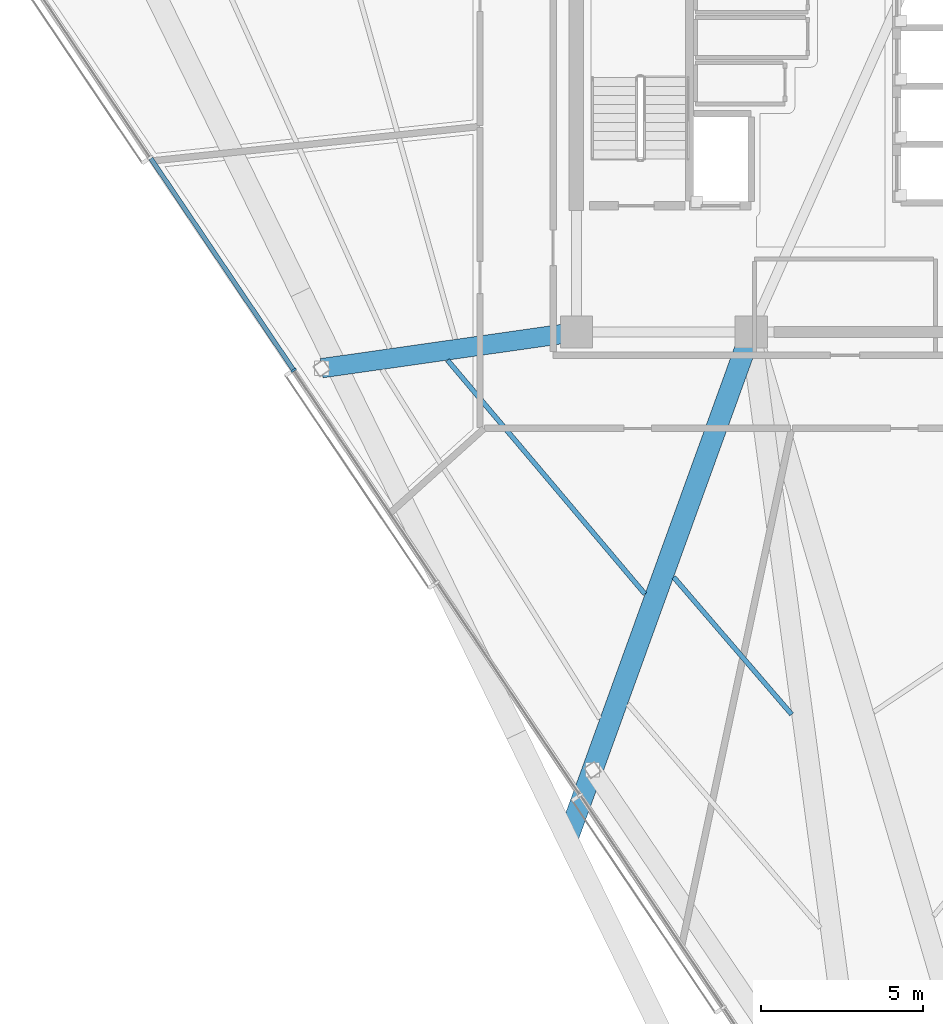
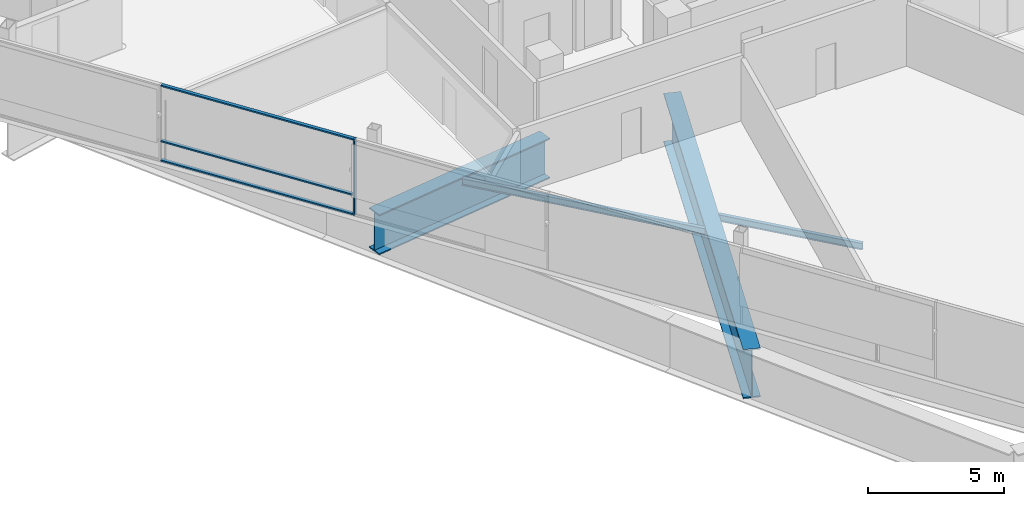
# One storey, part 3 of 17: 4 beams, 4 members, 1 element without a shape of its own.
"""IFC4 building model written with IfcOpenShell, lengths in metres."""

from ifc_helpers import new_model, si_unit, direction, frame, origin, origin_2d, place, context, subcontext, project, spatial, rectangle, i_section, extrude, material, layer, layer_set, material_profile, profile_set, type_object, element, aggregate, save


model = new_model("IFC4")

# Units and contexts
model_context = context("Model", 3, precision=1e-05, world=origin(), true_north=direction((0.0, 1.0)))
body_context = subcontext(model_context, "Body", "Model", "MODEL_VIEW")
ifc_project = project(units=[si_unit("LENGTHUNIT", "METRE"), si_unit("AREAUNIT", "SQUARE_METRE"), si_unit("VOLUMEUNIT", "CUBIC_METRE"), si_unit("PLANEANGLEUNIT", "RADIAN"), si_unit("MASSUNIT", "GRAM", prefix="KILO")], contexts=[model_context])

# Site, building, storey
site_placement = place(None, origin())
site = spatial("IfcSite", under=ifc_project, at=site_placement, CompositionType="ELEMENT")
building_placement = place(site_placement, origin())
building = spatial("IfcBuilding", under=site, at=building_placement, Name="Tharavind Bronze Gate", CompositionType="ELEMENT")
storey_placement = place(building_placement, frame((0.0, 0.0, 253.39990234375)))
storey = spatial("IfcBuildingStorey", under=building, at=storey_placement, Name="L65", CompositionType="ELEMENT", Elevation=253.39990234375)

# Curtain wall, members
ifc_material_1 = material(Name="Anodised Bronze Aluminium", Category="aluminium")
ifc_layer = layer(ifc_material_1, 0.219970703125)
ifc_layer_set = layer_set([ifc_layer], Name="Anodised Bronze Aluminium")
curtain_wall_type = type_object("IfcCurtainWallType", Name="UNITISED CURTAIN WALL UPPER OFFICE", PredefinedType="USERDEFINED", material=ifc_layer_set)
curtain_wall_placement = place(storey_placement, origin())
curtain_wall = element("IfcCurtainWall", 1, at=curtain_wall_placement, inside=storey, type_object=curtain_wall_type, Name="L65 unitised curtain wall upper office CW-L65-S1", ObjectType="UNITISED CURTAIN WALL", PredefinedType="USERDEFINED")
member_type_1 = type_object("IfcMemberType", Name="CURTAIN WALL BRONZE MULLION 65X180", PredefinedType="MULLION", material=ifc_material_1)
member_1_placement = place(storey_placement, frame((-17.639892578125, -8.7802734375, 0.000244140625), z_axis=(0.0, 0.0, 1.0), x_axis=(0.559191456526, -0.82903854853, 0.0)))
member_1 = element("IfcMember", 2, at=member_1_placement, type_object=member_type_1, Name="CW-L65-S1 mullion 3", PredefinedType="MULLION", context=body_context, shape_type="SweptSolid", body=[
    extrude(rectangle(XDim=0.06494140625, YDim=0.179931640625, at=origin_2d()), origin(), (0.0, 0.0, 1.0), 3.419921875),
])
member_type_2 = type_object("IfcMemberType", Name="CURTAIN WALL BRONZE TRANSOM 65X140", PredefinedType="USERDEFINED", material=ifc_material_1)
member_2_placement = place(storey_placement, frame((-19.8544921875, -5.497314453125, 0.000244140625), z_axis=(0.0, 0.0, 1.0), x_axis=(0.559191456526, -0.82903854853, 0.0)))
member_2 = element("IfcMember", 3, at=member_2_placement, type_object=member_type_2, Name="CW-L65-S1 transom TB2", ObjectType="TRANSOM", PredefinedType="USERDEFINED", context=body_context, shape_type="SweptSolid", body=[
    extrude(rectangle(XDim=7.8671875, YDim=0.139892578125, at=origin_2d()), origin(), (0.0, 0.0, 1.0), 0.06494140625),
])
member_3_placement = place(storey_placement, frame((-19.8544921875, -5.497314453125, 0.86767578125), z_axis=(0.0, 0.0, 1.0), x_axis=(0.559191456526, -0.82903854853, 0.0)))
member_3 = element("IfcMember", 4, at=member_3_placement, type_object=member_type_2, Name="CW-L65-S1 transom TS2", ObjectType="TRANSOM", PredefinedType="USERDEFINED", context=body_context, shape_type="SweptSolid", body=[
    extrude(rectangle(XDim=7.8671875, YDim=0.139892578125, at=origin_2d()), origin(), (0.0, 0.0, 1.0), 0.06494140625),
])
member_4_placement = place(storey_placement, frame((-19.8544921875, -5.497314453125, 3.355224609375), z_axis=(0.0, 0.0, 1.0), x_axis=(0.559191456526, -0.82903854853, 0.0)))
member_4 = element("IfcMember", 5, at=member_4_placement, type_object=member_type_2, Name="CW-L65-S1 transom TT2", ObjectType="TRANSOM", PredefinedType="USERDEFINED", context=body_context, shape_type="SweptSolid", body=[
    extrude(rectangle(XDim=7.8671875, YDim=0.139892578125, at=origin_2d()), origin(), (0.0, 0.0, 1.0), 0.06494140625),
])
aggregate(curtain_wall, [member_1, member_2, member_3, member_4])

# Beams
ifc_material_2 = material(Name="Steel S355", Category="steel")
ifc_material_profile_1 = material_profile(ifc_material_2, i_section(OverallWidth=0.14990234375, OverallDepth=0.300048828125, WebThickness=0.007080078125, FlangeThickness=0.0107421875, at=origin_2d()), Name="IPE300")
ifc_profile_set_1 = profile_set([ifc_material_profile_1], Name="Steel S355")
beam_type_1 = type_object("IfcBeamType", Name="SECONDARY FLOOR JOIST IPE300", PredefinedType="JOIST", material=ifc_profile_set_1)
beam_1_placement = place(storey_placement, frame((-12.8828125, -8.47265625, -0.33984375), z_axis=(0.645100433876, -0.764097788384, 0.0), x_axis=(0.764097788384, 0.645100433876, 0.0)))
element("IfcBeam", 6, at=beam_1_placement, inside=storey, type_object=beam_type_1, Name="L65 secondary floor joist ipe300 BM-L65-JSTA02", PredefinedType="JOIST", context=body_context, shape_type="SweptSolid", body=[
    extrude(i_section(OverallWidth=0.14990234375, OverallDepth=0.300048828125, WebThickness=0.007080078125, FlangeThickness=0.0107421875, at=origin_2d()), origin(), (0.0, 0.0, 1.0), 9.4560546875),
])
beam_2_placement = place(storey_placement, frame((-5.89501953125, -15.176025390625, -0.33984375), z_axis=(0.651800871828, -0.758390152549, 0.0), x_axis=(0.758390152549, 0.651800871828, 0.0)))
element("IfcBeam", 7, at=beam_2_placement, inside=storey, type_object=beam_type_1, Name="L65 secondary floor joist ipe300 BM-L65-JSTA03", PredefinedType="JOIST", context=body_context, shape_type="SweptSolid", body=[
    extrude(i_section(OverallWidth=0.14990234375, OverallDepth=0.300048828125, WebThickness=0.007080078125, FlangeThickness=0.0107421875, at=origin_2d()), origin(), (0.0, 0.0, 1.0), 5.59326171875),
])
ifc_material_3 = material(Name="Steel S460", Category="steel")
ifc_material_profile_2 = material_profile(ifc_material_3, i_section(OverallWidth=0.60009765625, OverallDepth=1.800048828125, WebThickness=0.031982421875, FlangeThickness=0.054931640625, at=origin_2d()), Name="PG1800X600")
ifc_profile_set_2 = profile_set([ifc_material_profile_2], Name="Steel S460")
beam_type_2 = type_object("IfcBeamType", Name="TRANSFER GIRDER 1800X600", PredefinedType="USERDEFINED", material=ifc_profile_set_2)
beam_3_placement = place(storey_placement, frame((-8.89990234375, -7.60009765625, -1.08984375), z_axis=(-0.99004257138, -0.14076827361, 0.0), x_axis=(0.14076827361, -0.99004257138, 0.0)))
element("IfcBeam", 8, at=beam_3_placement, inside=storey, type_object=beam_type_2, Name="L65 transfer girder 1800x600 BM-L65-XFR02", ObjectType="TRANSFER GIRDER", PredefinedType="USERDEFINED", context=body_context, shape_type="SweptSolid", body=[
    extrude(i_section(OverallWidth=0.60009765625, OverallDepth=1.800048828125, WebThickness=0.031982421875, FlangeThickness=0.054931640625, at=origin_2d()), origin(), (0.0, 0.0, 1.0), 7.955322265625),
])
ifc_material_profile_3 = material_profile(ifc_material_3, i_section(OverallWidth=0.64990234375, OverallDepth=2.199951171875, WebThickness=0.035888671875, FlangeThickness=0.054931640625, at=origin_2d()), Name="PG2200X650")
ifc_profile_set_3 = profile_set([ifc_material_profile_3], Name="Steel S460")
beam_type_3 = type_object("IfcBeamType", Name="TRANSFER GIRDER 2200X650", PredefinedType="USERDEFINED", material=ifc_profile_set_3)
beam_4_placement = place(storey_placement, frame((-3.5, -7.60009765625, -1.289794921875), z_axis=(-0.34056249213, -0.940221882831, 0.0), x_axis=(0.940221882831, -0.34056249213, 0.0)))
element("IfcBeam", 9, at=beam_4_placement, inside=storey, type_object=beam_type_3, Name="L65 transfer girder 2200x650 BM-L65-XFR03", ObjectType="TRANSFER GIRDER", PredefinedType="USERDEFINED", context=body_context, shape_type="SweptSolid", body=[
    extrude(i_section(OverallWidth=0.64990234375, OverallDepth=2.199951171875, WebThickness=0.035888671875, FlangeThickness=0.054931640625, at=origin_2d()), origin(), (0.0, 0.0, 1.0), 16.674560546875),
])

save(model, "model.ifc")
